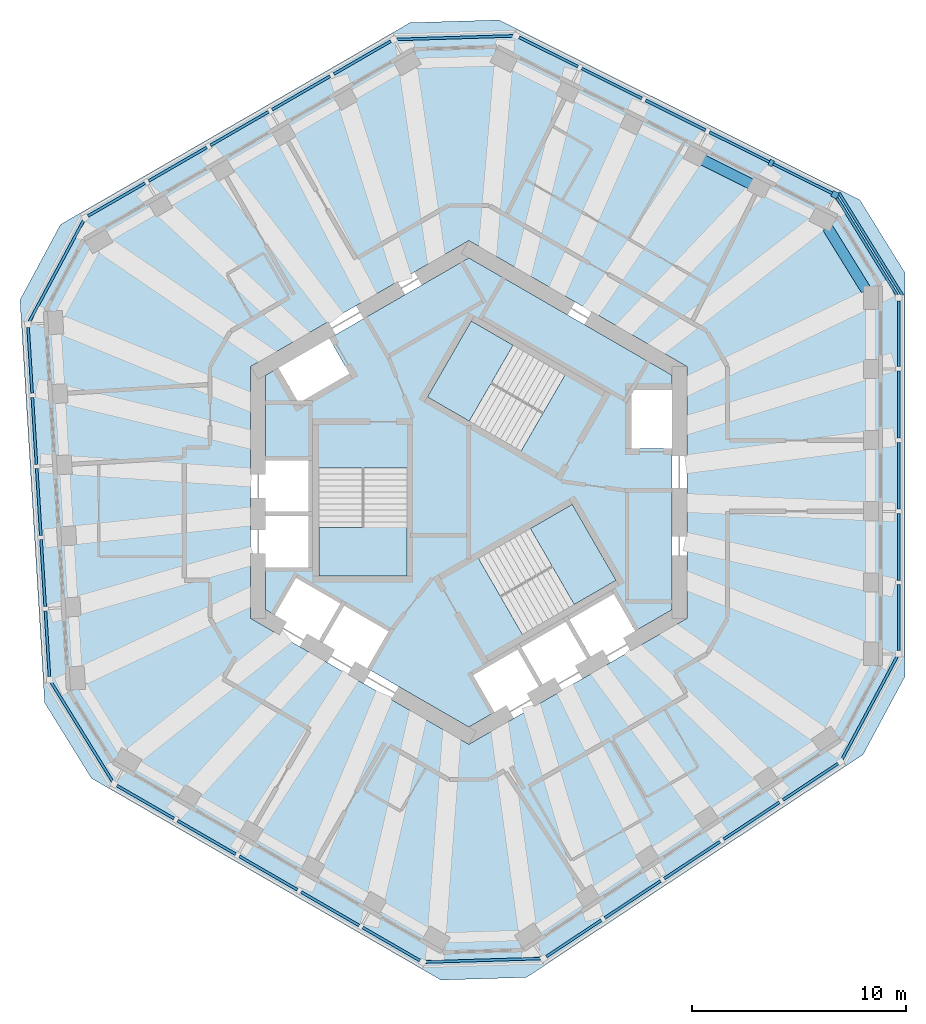
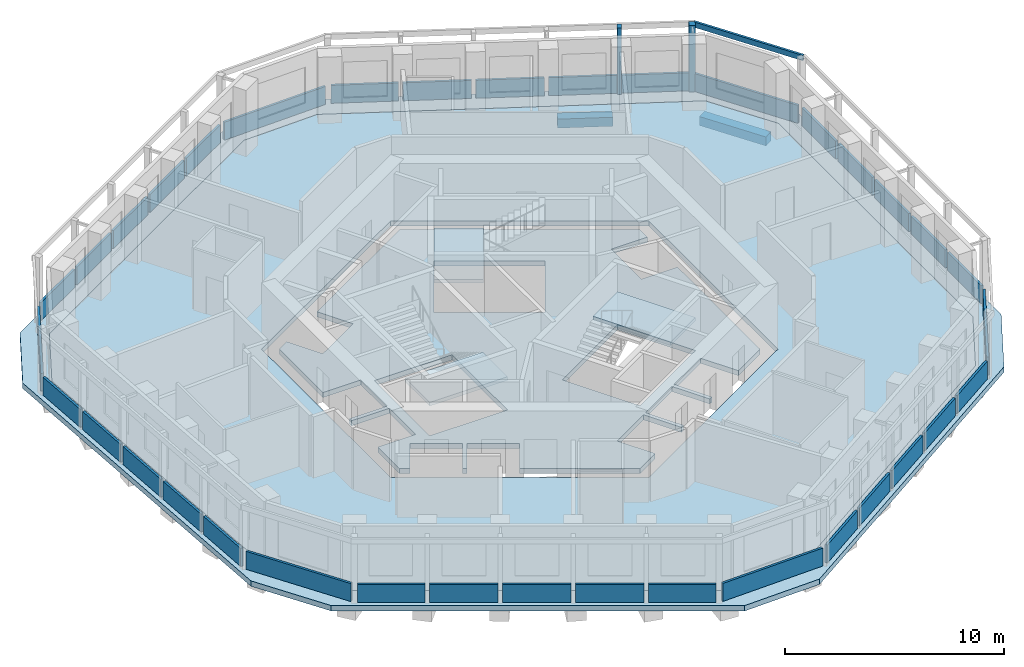
# One storey, part 3 of 11: 36 plates, 6 slabs, 3 members, 2 beams, 15 elements without a shape of their own.
"""IFC4 building model written with IfcOpenShell, lengths in metres."""

import ifcopenshell
import ifcopenshell.guid

model = None  # the IFC model being written
_history = None  # IfcOwnerHistory: only IFC2X3 demands one
_inside = {}  # id of a spatial element -> (the spatial element, [elements in it])
_under = {}  # id of a project, library or spatial element -> (it, [spatial elements below it])
_declared = {}  # id of a project -> (the project, [libraries it declares])
_typed = {}  # id of a type object -> (the type object, [elements of that type])
_made_of = {}  # id of a material, layer set ... -> (it, [elements and type objects made of it])


def new_model(schema):
    """Start an empty IFC model of exactly this schema.

    Asked for "IFC4X3", IfcOpenShell would pick the latest addendum, in which some entities
    have other attributes; the version numbers below select the first issue.
    IFC2X3 requires an IfcOwnerHistory on every rooted entity: one is made here for all.
    """
    global model, _history
    if schema == "IFC4X3":
        model = ifcopenshell.file(schema_version=(4, 3, 0, 0))
    else:
        model = ifcopenshell.file(schema=schema)
    _inside.clear()
    _under.clear()
    _declared.clear()
    _typed.clear()
    _made_of.clear()
    _history = None
    if model.schema == "IFC2X3":
        org = make("IfcOrganization", Name="unknown")
        user = make(
            "IfcPersonAndOrganization",
            ThePerson=make("IfcPerson", FamilyName="unknown"),
            TheOrganization=org,
        )
        app = make(
            "IfcApplication",
            ApplicationDeveloper=org,
            Version="unknown",
            ApplicationFullName="unknown",
            ApplicationIdentifier="unknown",
        )
        _history = make(
            "IfcOwnerHistory",
            OwningUser=user,
            OwningApplication=app,
            ChangeAction="ADDED",
            CreationDate=0,
        )
    return model


def make(cls, **values):
    """One entity of the class cls with the attributes given. An attribute that is None is left unset."""
    return model.create_entity(
        cls, **{name: value for name, value in values.items() if value is not None}
    )


def rooted(cls, **values):
    """An entity with a GlobalId (a new one), such as an element, a storey or a relation."""
    return make(cls, GlobalId=ifcopenshell.guid.new(), OwnerHistory=_history, **values)


def si_unit(unit_type, name, prefix=None):
    """IfcSIUnit, for example si_unit("LENGTHUNIT", "METRE", prefix="MILLI")."""
    return make("IfcSIUnit", UnitType=unit_type, Prefix=prefix, Name=name)


def assignment(units):
    """IfcUnitAssignment: the units of a project."""
    return None if units is None else make("IfcUnitAssignment", Units=units)


def point(xyz):
    """IfcCartesianPoint."""
    return None if xyz is None else make("IfcCartesianPoint", Coordinates=xyz)


def direction(xyz):
    """IfcDirection."""
    return None if xyz is None else make("IfcDirection", DirectionRatios=xyz)


def frame(location, z_axis=None, x_axis=None):
    """IfcAxis2Placement3D, a coordinate frame: its origin and axes. An axis left out is left unset."""
    return make(
        "IfcAxis2Placement3D",
        Location=point(location),
        Axis=direction(z_axis),
        RefDirection=direction(x_axis),
    )


def frame_2d(location, x_axis=None):
    """IfcAxis2Placement2D, a coordinate frame in the plane: its origin and x axis."""
    return make(
        "IfcAxis2Placement2D", Location=point(location), RefDirection=direction(x_axis)
    )


def origin():
    """The frame at (0, 0, 0) with its axes left unset."""
    return frame((0.0, 0.0, 0.0))


def origin_2d():
    """The frame at (0, 0) in the plane with its x axis left unset."""
    return frame_2d((0.0, 0.0))


def place(relative_to, where):
    """IfcLocalPlacement: puts the frame where relative to a parent placement (None: the world)."""
    return make(
        "IfcLocalPlacement", PlacementRelTo=relative_to, RelativePlacement=where
    )


def context(
    kind, dimensions, precision=None, world=None, true_north=None, identifier=None
):
    """IfcGeometricRepresentationContext, for example the 3D "Model" context."""
    return make(
        "IfcGeometricRepresentationContext",
        ContextIdentifier=identifier,
        ContextType=kind,
        CoordinateSpaceDimension=dimensions,
        Precision=precision,
        WorldCoordinateSystem=world,
        TrueNorth=true_north,
    )


def subcontext(parent, identifier, kind, view, scale=None):
    """IfcGeometricRepresentationSubContext, for example "Body" below "Model"."""
    return make(
        "IfcGeometricRepresentationSubContext",
        ContextIdentifier=identifier,
        ContextType=kind,
        ParentContext=parent,
        TargetScale=scale,
        TargetView=view,
    )


def project(units=None, contexts=None):
    """IfcProject with its units and contexts."""
    return rooted(
        "IfcProject",
        Name="project",
        RepresentationContexts=contexts,
        UnitsInContext=assignment(units),
    )


def spatial(cls, under=None, at=None, **own):
    """A site, building, storey or space (cls), placed at a placement, below another one or the project."""
    s = rooted(cls, ObjectPlacement=at, **own)
    if under is not None:
        _under.setdefault(under.id(), (under, []))[1].append(s)
    return s


def polyline(points):
    """IfcPolyline through the points."""
    return make("IfcPolyline", Points=[point(p) for p in points])


def profile(cls, at=None, kind="AREA", **sizes):
    """A parametric profile (cls). Its sizes go by their IFC names, for example OverallWidth=200.0."""
    return make(cls, ProfileType=kind, Position=at, **sizes)


def rectangle(**sizes):
    """IfcRectangleProfileDef."""
    return profile("IfcRectangleProfileDef", **sizes)


def outline(outer, holes=None, kind="AREA"):
    """IfcArbitraryClosedProfileDef: a profile drawn as a closed curve; with holes, ...WithVoids."""
    if holes is None:
        return make("IfcArbitraryClosedProfileDef", ProfileType=kind, OuterCurve=outer)
    return make(
        "IfcArbitraryProfileDefWithVoids",
        ProfileType=kind,
        OuterCurve=outer,
        InnerCurves=holes,
    )


def extrude(swept, where, along, depth):
    """IfcExtrudedAreaSolid: the profile swept, set in the frame where, extruded along a direction by depth."""
    return make(
        "IfcExtrudedAreaSolid",
        SweptArea=swept,
        Position=where,
        ExtrudedDirection=direction(along),
        Depth=depth,
    )


def shape(context_of_items, identifier, shape_type, items):
    """IfcShapeRepresentation: the items that make up one representation, for example the "Body"."""
    return make(
        "IfcShapeRepresentation",
        ContextOfItems=context_of_items,
        RepresentationIdentifier=identifier,
        RepresentationType=shape_type,
        Items=items,
    )


def material(Name=None, Category=None):
    """IfcMaterial."""
    return make("IfcMaterial", Name=Name, Category=Category)


def layer(
    of_material, thickness, ventilated=None, Name=None, Category=None, Priority=None
):
    """IfcMaterialLayer: one layer of a wall or slab, of a material (None: an air gap)."""
    return make(
        "IfcMaterialLayer",
        Material=of_material,
        LayerThickness=thickness,
        IsVentilated=ventilated,
        Name=Name,
        Category=Category,
        Priority=Priority,
    )


def layer_set(layers, Name=None):
    """IfcMaterialLayerSet."""
    return make("IfcMaterialLayerSet", MaterialLayers=layers, LayerSetName=Name)


def material_profile(
    of_material, cross_section, Name=None, Category=None, Priority=None
):
    """IfcMaterialProfile: a cross section and its material."""
    return make(
        "IfcMaterialProfile",
        Name=Name,
        Material=of_material,
        Profile=cross_section,
        Priority=Priority,
        Category=Category,
    )


def profile_set(profiles, Name=None, composite=None):
    """IfcMaterialProfileSet."""
    return make(
        "IfcMaterialProfileSet",
        Name=Name,
        MaterialProfiles=profiles,
        CompositeProfile=composite,
    )


def made_of(thing, what):
    """Note that an element or type object is made of a material, layer set ...; save() writes the relation."""
    if what is not None:
        _made_of.setdefault(what.id(), (what, []))[1].append(thing)
    return thing


def type_object(cls, material=None, **own):
    """A type object (cls), such as IfcWallType, which elements share."""
    return made_of(rooted(cls, **own), material)


def element(
    cls,
    number,
    at=None,
    inside=None,
    cuts=None,
    type_object=None,
    material=None,
    context=None,
    identifier="Body",
    shape_type=None,
    held_by="IfcProductDefinitionShape",
    body=None,
    shapes=None,
    **own,
):
    """One element of the class cls, such as IfcWall. Its Tag is "e" and its number.

    at: its placement. inside: the storey or other place that contains it. cuts: it is an
    opening in that element (IfcRelVoidsElement). A single representation is given by context,
    identifier, shape_type and body (its items); several are given by shapes. held_by: the class
    of the entity that holds the representations. save() writes the other relations.
    """
    e = rooted(cls, Tag="e%d" % number, ObjectPlacement=at, **own)
    if body is not None:
        shapes = [shape(context, identifier, shape_type, body)]
    if shapes is not None:
        e.Representation = make(held_by, Representations=shapes)
    if inside is not None:
        _inside.setdefault(inside.id(), (inside, []))[1].append(e)
    if cuts is not None:
        rooted(
            "IfcRelVoidsElement", RelatingBuildingElement=cuts, RelatedOpeningElement=e
        )
    if type_object is not None:
        _typed.setdefault(type_object.id(), (type_object, []))[1].append(e)
    return made_of(e, material)


def aggregate(whole, parts):
    """IfcRelAggregates: a whole, such as a stair, and the parts it consists of."""
    return rooted("IfcRelAggregates", RelatingObject=whole, RelatedObjects=parts)


def save(model, path):
    """Write the relations noted so far, then the file.

    IfcRelAggregates (storeys below a building ...), IfcRelContainedInSpatialStructure (elements
    in a storey), IfcRelDefinesByType, IfcRelAssociatesMaterial and IfcRelDeclares: one each for
    every whole, place, type object, material and project.
    """
    for whole, parts in _under.values():
        aggregate(whole, parts)
    for where, things in _inside.values():
        rooted(
            "IfcRelContainedInSpatialStructure",
            RelatedElements=things,
            RelatingStructure=where,
        )
    for kind, things in _typed.values():
        rooted("IfcRelDefinesByType", RelatedObjects=things, RelatingType=kind)
    for what, things in _made_of.values():
        rooted("IfcRelAssociatesMaterial", RelatedObjects=things, RelatingMaterial=what)
    for by, libraries in _declared.values():
        rooted("IfcRelDeclares", RelatingContext=by, RelatedDefinitions=libraries)
    model.write(path)


model = new_model("IFC4")

# Units and contexts
model_context = context("Model", 3, precision=1e-05, world=origin(), true_north=direction((0.0, 1.0)))
body_context = subcontext(model_context, "Body", "Model", "MODEL_VIEW")
ifc_project = project(units=[si_unit("LENGTHUNIT", "METRE"), si_unit("AREAUNIT", "SQUARE_METRE"), si_unit("VOLUMEUNIT", "CUBIC_METRE"), si_unit("PLANEANGLEUNIT", "RADIAN"), si_unit("MASSUNIT", "GRAM", prefix="KILO")], contexts=[model_context])

# Site, building, storey
site_placement = place(None, origin())
site = spatial("IfcSite", under=ifc_project, at=site_placement, CompositionType="ELEMENT")
building_placement = place(site_placement, origin())
building = spatial("IfcBuilding", under=site, at=building_placement, Name="Vanh Sen Convention Tower", CompositionType="ELEMENT")
storey_placement = place(building_placement, frame((0.0, 0.0, 259.800048828125)))
storey = spatial("IfcBuildingStorey", under=building, at=storey_placement, Name="L64", CompositionType="ELEMENT", Elevation=259.800048828125)

# Curtain wall, members
ifc_material_1 = material(Name="Concrete C50/60", Category="concrete")
curtain_wall_type = type_object("IfcCurtainWallType", Name="Outer skin office zone", PredefinedType="NOTDEFINED", material=ifc_material_1)
curtain_wall_1_placement = place(storey_placement, origin())
curtain_wall_1 = element("IfcCurtainWall", 1, at=curtain_wall_1_placement, inside=storey, type_object=curtain_wall_type, Name="OUTER SKIN NE L64", PredefinedType="NOTDEFINED")
ifc_material_profile_1 = material_profile(ifc_material_1, rectangle(XDim=0.300048828125, YDim=0.300048828125, at=origin_2d()), Name="Outer skin precast corner fin 300 x 300")
ifc_profile_set_1 = profile_set([ifc_material_profile_1], Name="Concrete C50/60")
member_type_1 = type_object("IfcMemberType", Name="Outer skin precast corner fin 300 x 300", PredefinedType="MULLION", material=ifc_profile_set_1)
member_1_placement = place(storey_placement, frame((17.122802734375, 13.922607421875, 0.0), z_axis=(0.0, 0.0, 1.0), x_axis=(-0.894934361602, 0.44619781311, 0.0)))
member_1 = element("IfcMember", 2, at=member_1_placement, type_object=member_type_1, Name="OUTER SKIN CORNER FIN 1 NE L64", PredefinedType="MULLION", context=body_context, shape_type="SweptSolid", body=[
    extrude(rectangle(XDim=0.300048828125, YDim=0.300048828125, at=origin_2d()), origin(), (0.0, 0.0, 1.0), 3.699951171875),
])
ifc_material_profile_2 = material_profile(ifc_material_1, rectangle(XDim=0.199951171875, YDim=0.300048828125, at=origin_2d()), Name="Outer skin precast fin 200 x 300")
ifc_profile_set_2 = profile_set([ifc_material_profile_2], Name="Concrete C50/60")
member_type_2 = type_object("IfcMemberType", Name="Outer skin precast fin 200 x 300", PredefinedType="MULLION", material=ifc_profile_set_2)
member_2_placement = place(storey_placement, frame((14.14111328125, 15.4091796875, 0.0), z_axis=(0.0, 0.0, 1.0), x_axis=(-0.894934361602, 0.44619781311, 0.0)))
member_2 = element("IfcMember", 3, at=member_2_placement, type_object=member_type_2, Name="OUTER SKIN fin 2 NE L64", PredefinedType="MULLION", context=body_context, shape_type="SweptSolid", body=[
    extrude(rectangle(XDim=0.199951171875, YDim=0.300048828125, at=origin_2d()), origin(), (0.0, 0.0, 1.0), 3.699951171875),
])

# Curtain wall, member
curtain_wall_2_placement = place(storey_placement, origin())
curtain_wall_2 = element("IfcCurtainWall", 4, at=curtain_wall_2_placement, inside=storey, type_object=curtain_wall_type, Name="OUTER SKIN CH1 L64", PredefinedType="NOTDEFINED")
ifc_material_profile_3 = material_profile(ifc_material_1, rectangle(XDim=0.1201171875, YDim=0.300048828125, at=origin_2d()), Name="Outer skin precast spandrel band 300 x 120")
ifc_profile_set_3 = profile_set([ifc_material_profile_3], Name="Concrete C50/60")
member_type_3 = type_object("IfcMemberType", Name="Outer skin precast spandrel band 300 x 120", PredefinedType="USERDEFINED", material=ifc_profile_set_3)
member_3_placement = place(storey_placement, frame((20.278564453125, 9.221923828125, 3.550048828125), z_axis=(-0.52621200061, 0.850353415007, 0.0), x_axis=(-0.850353415007, -0.52621200061, 0.0)))
member_3 = element("IfcMember", 5, at=member_3_placement, type_object=member_type_3, Name="OUTER SKIN spandrel band CH1 L64", ObjectType="TRANSOM", PredefinedType="USERDEFINED", context=body_context, shape_type="SweptSolid", body=[
    extrude(rectangle(XDim=0.1201171875, YDim=0.300048828125, at=origin_2d()), origin(), (0.0, 0.0, 1.0), 5.657958984375),
])

# Beams
ifc_material_2 = material(Name="Concrete C50/60", Category="concrete")
ifc_material_profile_4 = material_profile(ifc_material_2, rectangle(XDim=0.5, YDim=0.5, at=origin_2d()), Name="RC 500X500")
ifc_profile_set_4 = profile_set([ifc_material_profile_4], Name="Concrete C50/60")
beam_type = type_object("IfcBeamType", Name="Spandrel beam 500 x 500", PredefinedType="SPANDREL", material=ifc_profile_set_4)
beam_1_placement = place(storey_placement, frame((18.578369140625, 9.469482421875, -0.530029296875), z_axis=(-0.526174192227, 0.850376810264, 0.0), x_axis=(-0.850376810264, -0.526174192227, 0.0)))
element("IfcBeam", 6, at=beam_1_placement, inside=storey, type_object=beam_type, Name="Spandrel beam 06 L64", PredefinedType="SPANDREL", context=body_context, shape_type="SweptSolid", body=[
    extrude(rectangle(XDim=0.5, YDim=0.5, at=origin_2d()), origin(), (0.0, 0.0, 1.0), 3.447509765625),
])
beam_2_placement = place(storey_placement, frame((13.212890625, 14.41943359375, -0.530029296875), z_axis=(-0.894948417902, 0.446169619421, 0.0), x_axis=(-0.446169619421, -0.894948417902, 0.0)))
element("IfcBeam", 7, at=beam_2_placement, inside=storey, type_object=beam_type, Name="Spandrel beam 08 L64", PredefinedType="SPANDREL", context=body_context, shape_type="SweptSolid", body=[
    extrude(rectangle(XDim=0.5, YDim=0.5, at=origin_2d()), origin(), (0.0, 0.0, 1.0), 2.5263671875),
])

# Slabs
ifc_material_3 = material(Name="Concrete C40/50", Category="concrete")
ifc_layer_1 = layer(ifc_material_3, 0.280029296875)
ifc_layer_set_1 = layer_set([ifc_layer_1], Name="Concrete C40/50")
slab_type_1 = type_object("IfcSlabType", Name="Core slab 280", PredefinedType="FLOOR", material=ifc_layer_set_1)
slab_1_placement = place(storey_placement, frame((0.0, 0.0, -0.280029296875)))
element("IfcSlab", 8, at=slab_1_placement, inside=storey, type_object=slab_type_1, Name="Core slab L64", PredefinedType="FLOOR", context=body_context, shape_type="SweptSolid", body=[
    extrude(outline(polyline([(0.0, 10.9697265625), (9.5, 5.48486328125), (9.5, 4.800048828125), (7.60009765625, 4.800048828125), (7.60009765625, 2.050048828125), (9.5, 2.050048828125), (9.5, -5.48486328125), (7.781005859375, -6.477294921875), (6.781005859375, -4.7451171875), (4.70263671875, -5.9453125), (5.70263671875, -7.67724609375), (5.529296875, -7.777099609375), (4.529296875, -6.045166015625), (2.450927734375, -7.2451171875), (3.450927734375, -8.977294921875), (3.27783203125, -9.0771484375), (2.27783203125, -7.34521484375), (0.19921875, -8.545166015625), (1.19921875, -10.277099609375), (0.0, -10.9697265625), (-4.75, -8.227294921875), (-3.75, -6.4951171875), (-5.82861328125, -5.295166015625), (-6.82861328125, -7.027099609375), (-7.001708984375, -6.92724609375), (-6.001708984375, -5.1953125), (-8.080078125, -3.9951171875), (-9.080078125, -5.727294921875), (-9.5, -5.48486328125), (-9.5, -3.5), (-7.5, -3.5), (-7.5, -1.10009765625), (-9.5, -1.10009765625), (-9.5, -0.89990234375), (-7.5, -0.89990234375), (-7.5, 1.5), (-9.5, 1.5), (-9.5, 5.48486328125), (-8.906982421875, 5.8271484375), (-7.956787109375, 4.181884765625), (-5.575439453125, 5.556884765625), (-6.525390625, 7.2021484375), (0.0, 10.9697265625)]), holes=[polyline([(-7.0, 1.1494140625), (-7.0, -3.909912109375), (-2.89990234375, -3.909912109375), (-2.89990234375, 1.1494140625), (-7.0, 1.1494140625)]), polyline([(2.504638671875, -6.63671875), (6.88623046875, -4.107177734375), (4.836181640625, -0.556396484375), (0.45458984375, -3.086181640625), (2.504638671875, -6.63671875)]), polyline([(0.11376953125, 8.01708984375), (-1.936279296875, 4.466552734375), (2.4453125, 1.936767578125), (4.495361328125, 5.487548828125), (0.11376953125, 8.01708984375)])]), origin(), (0.0, 0.0, 1.0), 0.280029296875),
])
ifc_layer_2 = layer(ifc_material_3, 0.280029296875)
ifc_layer_set_2 = layer_set([ifc_layer_2], Name="Concrete C40/50")
slab_type_2 = type_object("IfcSlabType", Name="Floor slab 280 REI 120", PredefinedType="FLOOR", material=ifc_layer_set_2)
slab_2_placement = place(storey_placement, frame((0.0, 0.0, -0.280029296875)))
element("IfcSlab", 9, at=slab_2_placement, inside=storey, type_object=slab_type_2, Name="Floor slab L64 tower", PredefinedType="FLOOR", context=body_context, shape_type="SweptSolid", body=[
    extrude(outline(polyline([(19.199951171875, -8.0966796875), (19.199951171875, 9.66162109375), (17.21337890625, 12.871826171875), (1.32080078125, 20.79541015625), (-2.587890625, 20.676025390625), (-17.967041015625, 11.796875), (-19.75390625, 8.471435546875), (-18.669921875, -9.25390625), (-16.612060546875, -12.579345703125), (-1.23291015625, -21.45849609375), (2.54052734375, -21.34326171875), (17.34912109375, -11.541748046875), (19.199951171875, -8.0966796875)]), holes=[polyline([(0.0, 11.77783203125), (-10.199951171875, 5.888916015625), (-10.199951171875, -5.888916015625), (0.0, -11.77783203125), (10.199951171875, -5.888916015625), (10.199951171875, 5.888916015625), (0.0, 11.77783203125)])]), origin(), (0.0, 0.0, 1.0), 0.280029296875),
])

# Curtain wall, plates
curtain_wall_3_placement = place(storey_placement, origin())
curtain_wall_3 = element("IfcCurtainWall", 10, at=curtain_wall_3_placement, inside=storey, type_object=curtain_wall_type, Name="OUTER SKIN E L64", PredefinedType="NOTDEFINED")
ifc_layer_3 = layer(ifc_material_1, 0.1201171875)
ifc_layer_set_3 = layer_set([ifc_layer_3], Name="Concrete C50/60")
plate_type = type_object("IfcPlateType", Name="Outer skin precast screen panel 120", PredefinedType="CURTAIN_PANEL", material=ifc_layer_set_3)
plate_1_placement = place(storey_placement, frame((20.10009765625, -5.85595703125, 0.0), z_axis=(0.0, 0.0, 1.0), x_axis=(0.0, 1.0, 0.0)))
plate_1 = element("IfcPlate", 11, at=plate_1_placement, type_object=plate_type, Name="OUTER SKIN screen panel E-1", PredefinedType="CURTAIN_PANEL", context=body_context, shape_type="SweptSolid", body=[
    extrude(rectangle(XDim=3.08154296875, YDim=0.1201171875, at=origin_2d()), origin(), (0.0, 0.0, 1.0), 1.0),
])
plate_2_placement = place(storey_placement, frame((20.10009765625, -2.54931640625, 0.0), z_axis=(0.0, 0.0, 1.0), x_axis=(0.0, 1.0, 0.0)))
plate_2 = element("IfcPlate", 12, at=plate_2_placement, type_object=plate_type, Name="OUTER SKIN screen panel E-2", PredefinedType="CURTAIN_PANEL", context=body_context, shape_type="SweptSolid", body=[
    extrude(rectangle(XDim=3.131591796875, YDim=0.1201171875, at=origin_2d()), origin(), (0.0, 0.0, 1.0), 1.0),
])
plate_3_placement = place(storey_placement, frame((20.10009765625, 0.782470703125, 0.0), z_axis=(0.0, 0.0, 1.0), x_axis=(0.0, 1.0, 0.0)))
plate_3 = element("IfcPlate", 13, at=plate_3_placement, type_object=plate_type, Name="OUTER SKIN screen panel E-3", PredefinedType="CURTAIN_PANEL", context=body_context, shape_type="SweptSolid", body=[
    extrude(rectangle(XDim=3.131591796875, YDim=0.1201171875, at=origin_2d()), origin(), (0.0, 0.0, 1.0), 1.0),
])
plate_4_placement = place(storey_placement, frame((20.10009765625, 4.114013671875, 0.0), z_axis=(0.0, 0.0, 1.0), x_axis=(0.0, 1.0, 0.0)))
plate_4 = element("IfcPlate", 14, at=plate_4_placement, type_object=plate_type, Name="OUTER SKIN screen panel E-4", PredefinedType="CURTAIN_PANEL", context=body_context, shape_type="SweptSolid", body=[
    extrude(rectangle(XDim=3.131591796875, YDim=0.1201171875, at=origin_2d()), origin(), (0.0, 0.0, 1.0), 1.0),
])
plate_5_placement = place(storey_placement, frame((20.10009765625, 7.420654296875, 0.0), z_axis=(0.0, 0.0, 1.0), x_axis=(0.0, 1.0, 0.0)))
plate_5 = element("IfcPlate", 15, at=plate_5_placement, type_object=plate_type, Name="OUTER SKIN screen panel E-5", PredefinedType="CURTAIN_PANEL", context=body_context, shape_type="SweptSolid", body=[
    extrude(rectangle(XDim=3.08154296875, YDim=0.1201171875, at=origin_2d()), origin(), (0.0, 0.0, 1.0), 1.0),
])
aggregate(curtain_wall_3, [plate_1, plate_2, plate_3, plate_4, plate_5])

# Plate
plate_6_placement = place(storey_placement, frame((18.611328125, 11.51708984375, 0.0), z_axis=(0.0, 0.0, 1.0), x_axis=(-0.526218376078, 0.850349469734, 0.0)))
plate_6 = element("IfcPlate", 16, at=plate_6_placement, type_object=plate_type, Name="OUTER SKIN screen panel CH1-1", PredefinedType="CURTAIN_PANEL", context=body_context, shape_type="SweptSolid", body=[
    extrude(rectangle(XDim=5.35791015625, YDim=0.1201171875, at=origin_2d()), origin(), (0.0, 0.0, 1.0), 1.0),
])

aggregate(curtain_wall_2, [member_3, plate_6])

plate_7_placement = place(storey_placement, frame((15.609619140625, 14.677001953125, 0.0), z_axis=(0.0, 0.0, 1.0), x_axis=(-0.894931246532, 0.446204060919, 0.0)))
plate_7 = element("IfcPlate", 17, at=plate_7_placement, type_object=plate_type, Name="OUTER SKIN screen panel NE-1", PredefinedType="CURTAIN_PANEL", context=body_context, shape_type="SweptSolid", body=[
    extrude(rectangle(XDim=3.081787109375, YDim=0.1201171875, at=origin_2d()), origin(), (0.0, 0.0, 1.0), 1.0),
])

plate_8_placement = place(storey_placement, frame((12.650390625, 16.152587890625, 0.0), z_axis=(0.0, 0.0, 1.0), x_axis=(-0.894931246532, 0.446204060919, 0.0)))
plate_8 = element("IfcPlate", 18, at=plate_8_placement, type_object=plate_type, Name="OUTER SKIN screen panel NE-2", PredefinedType="CURTAIN_PANEL", context=body_context, shape_type="SweptSolid", body=[
    extrude(rectangle(XDim=3.131591796875, YDim=0.1201171875, at=origin_2d()), origin(), (0.0, 0.0, 1.0), 1.0),
])

plate_9_placement = place(storey_placement, frame((9.668701171875, 17.63916015625, 0.0), z_axis=(0.0, 0.0, 1.0), x_axis=(-0.894931246532, 0.446204060919, 0.0)))
plate_9 = element("IfcPlate", 19, at=plate_9_placement, type_object=plate_type, Name="OUTER SKIN screen panel NE-3", PredefinedType="CURTAIN_PANEL", context=body_context, shape_type="SweptSolid", body=[
    extrude(rectangle(XDim=3.131591796875, YDim=0.1201171875, at=origin_2d()), origin(), (0.0, 0.0, 1.0), 1.0),
])

plate_10_placement = place(storey_placement, frame((6.687255859375, 19.125732421875, 0.0), z_axis=(0.0, 0.0, 1.0), x_axis=(-0.89494292782, 0.446180631521, 0.0)))
plate_10 = element("IfcPlate", 20, at=plate_10_placement, type_object=plate_type, Name="OUTER SKIN screen panel NE-4", PredefinedType="CURTAIN_PANEL", context=body_context, shape_type="SweptSolid", body=[
    extrude(rectangle(XDim=3.131591796875, YDim=0.1201171875, at=origin_2d()), origin(), (0.0, 0.0, 1.0), 1.0),
])

plate_11_placement = place(storey_placement, frame((3.727783203125, 20.60107421875, 0.0), z_axis=(0.0, 0.0, 1.0), x_axis=(-0.894931246532, 0.446204060919, 0.0)))
plate_11 = element("IfcPlate", 21, at=plate_11_placement, type_object=plate_type, Name="OUTER SKIN screen panel NE-5", PredefinedType="CURTAIN_PANEL", context=body_context, shape_type="SweptSolid", body=[
    extrude(rectangle(XDim=3.081787109375, YDim=0.1201171875, at=origin_2d()), origin(), (0.0, 0.0, 1.0), 1.0),
])

aggregate(curtain_wall_1, [member_1, member_2, plate_7, plate_8, plate_9, plate_10, plate_11])

# Curtain wall, plate
curtain_wall_4_placement = place(storey_placement, origin())
curtain_wall_4 = element("IfcCurtainWall", 22, at=curtain_wall_4_placement, inside=storey, type_object=curtain_wall_type, Name="OUTER SKIN CH2 L64", PredefinedType="NOTDEFINED")
plate_12_placement = place(storey_placement, frame((-0.64990234375, 21.26806640625, 0.0), z_axis=(0.0, 0.0, 1.0), x_axis=(-0.99953391058, -0.030528046117, 0.0)))
plate_12 = element("IfcPlate", 23, at=plate_12_placement, type_object=plate_type, Name="OUTER SKIN screen panel CH2-1", PredefinedType="CURTAIN_PANEL", context=body_context, shape_type="SweptSolid", body=[
    extrude(rectangle(XDim=5.431640625, YDim=0.1201171875, at=origin_2d()), origin(), (0.0, 0.0, 1.0), 1.0),
])
aggregate(curtain_wall_4, [plate_12])

# Curtain wall, plates
curtain_wall_5_placement = place(storey_placement, origin())
curtain_wall_5 = element("IfcCurtainWall", 24, at=curtain_wall_5_placement, inside=storey, type_object=curtain_wall_type, Name="OUTER SKIN NW L64", PredefinedType="NOTDEFINED")
plate_13_placement = place(storey_placement, frame((-4.978515625, 20.335205078125, 0.0), z_axis=(0.0, 0.0, 1.0), x_axis=(-0.866015804314, -0.500016626402, 0.0)))
plate_13 = element("IfcPlate", 25, at=plate_13_placement, type_object=plate_type, Name="OUTER SKIN screen panel NW-1", PredefinedType="CURTAIN_PANEL", context=body_context, shape_type="SweptSolid", body=[
    extrude(rectangle(XDim=3.081787109375, YDim=0.1201171875, at=origin_2d()), origin(), (0.0, 0.0, 1.0), 1.0),
])
plate_14_placement = place(storey_placement, frame((-7.84228515625, 18.681640625, 0.0), z_axis=(0.0, 0.0, 1.0), x_axis=(-0.866028894422, -0.49999395399, 0.0)))
plate_14 = element("IfcPlate", 26, at=plate_14_placement, type_object=plate_type, Name="OUTER SKIN screen panel NW-2", PredefinedType="CURTAIN_PANEL", context=body_context, shape_type="SweptSolid", body=[
    extrude(rectangle(XDim=3.131591796875, YDim=0.1201171875, at=origin_2d()), origin(), (0.0, 0.0, 1.0), 1.0),
])
plate_15_placement = place(storey_placement, frame((-10.7275390625, 17.015869140625, 0.0), z_axis=(0.0, 0.0, 1.0), x_axis=(-0.866028894422, -0.49999395399, 0.0)))
plate_15 = element("IfcPlate", 27, at=plate_15_placement, type_object=plate_type, Name="OUTER SKIN screen panel NW-3", PredefinedType="CURTAIN_PANEL", context=body_context, shape_type="SweptSolid", body=[
    extrude(rectangle(XDim=3.131591796875, YDim=0.1201171875, at=origin_2d()), origin(), (0.0, 0.0, 1.0), 1.0),
])
plate_16_placement = place(storey_placement, frame((-13.61279296875, 15.35009765625, 0.0), z_axis=(0.0, 0.0, 1.0), x_axis=(-0.866015804314, -0.500016626402, 0.0)))
plate_16 = element("IfcPlate", 28, at=plate_16_placement, type_object=plate_type, Name="OUTER SKIN screen panel NW-4", PredefinedType="CURTAIN_PANEL", context=body_context, shape_type="SweptSolid", body=[
    extrude(rectangle(XDim=3.131591796875, YDim=0.1201171875, at=origin_2d()), origin(), (0.0, 0.0, 1.0), 1.0),
])
plate_17_placement = place(storey_placement, frame((-16.4765625, 13.69677734375, 0.0), z_axis=(0.0, 0.0, 1.0), x_axis=(-0.866028894422, -0.49999395399, 0.0)))
plate_17 = element("IfcPlate", 29, at=plate_17_placement, type_object=plate_type, Name="OUTER SKIN screen panel NW-5", PredefinedType="CURTAIN_PANEL", context=body_context, shape_type="SweptSolid", body=[
    extrude(rectangle(XDim=3.08154296875, YDim=0.1201171875, at=origin_2d()), origin(), (0.0, 0.0, 1.0), 1.0),
])
aggregate(curtain_wall_5, [plate_13, plate_14, plate_15, plate_16, plate_17])

# Curtain wall, plate
curtain_wall_6_placement = place(storey_placement, origin())
curtain_wall_6 = element("IfcCurtainWall", 30, at=curtain_wall_6_placement, inside=storey, type_object=curtain_wall_type, Name="OUTER SKIN CH3 L64", PredefinedType="NOTDEFINED")
plate_18_placement = place(storey_placement, frame((-19.27978515625, 10.359375, 0.0), z_axis=(0.0, 0.0, 1.0), x_axis=(-0.473324279511, -0.880888259897, 0.0)))
plate_18 = element("IfcPlate", 31, at=plate_18_placement, type_object=plate_type, Name="OUTER SKIN screen panel CH3-1", PredefinedType="CURTAIN_PANEL", context=body_context, shape_type="SweptSolid", body=[
    extrude(rectangle(XDim=5.35791015625, YDim=0.1201171875, at=origin_2d()), origin(), (0.0, 0.0, 1.0), 1.0),
])
aggregate(curtain_wall_6, [plate_18])

# Curtain wall, plates
curtain_wall_7_placement = place(storey_placement, origin())
curtain_wall_7 = element("IfcCurtainWall", 32, at=curtain_wall_7_placement, inside=storey, type_object=curtain_wall_type, Name="OUTER SKIN W L64", PredefinedType="NOTDEFINED")
plate_19_placement = place(storey_placement, frame((-20.515380859375, 6.1796875, 0.0), z_axis=(0.0, 0.0, 1.0), x_axis=(0.061052023682, -0.998134585316, 0.0)))
plate_19 = element("IfcPlate", 33, at=plate_19_placement, type_object=plate_type, Name="OUTER SKIN screen panel W-1", PredefinedType="CURTAIN_PANEL", context=body_context, shape_type="SweptSolid", body=[
    extrude(rectangle(XDim=3.08154296875, YDim=0.1201171875, at=origin_2d()), origin(), (0.0, 0.0, 1.0), 1.0),
])
plate_20_placement = place(storey_placement, frame((-20.313720703125, 2.87939453125, 0.0), z_axis=(0.0, 0.0, 1.0), x_axis=(0.061050281609, -0.998134691871, 0.0)))
plate_20 = element("IfcPlate", 34, at=plate_20_placement, type_object=plate_type, Name="OUTER SKIN screen panel W-2", PredefinedType="CURTAIN_PANEL", context=body_context, shape_type="SweptSolid", body=[
    extrude(rectangle(XDim=3.131591796875, YDim=0.1201171875, at=origin_2d()), origin(), (0.0, 0.0, 1.0), 1.0),
])
plate_21_placement = place(storey_placement, frame((-20.1103515625, -0.4462890625, 0.0), z_axis=(0.0, 0.0, 1.0), x_axis=(0.061052023682, -0.998134585316, 0.0)))
plate_21 = element("IfcPlate", 35, at=plate_21_placement, type_object=plate_type, Name="OUTER SKIN screen panel W-3", PredefinedType="CURTAIN_PANEL", context=body_context, shape_type="SweptSolid", body=[
    extrude(rectangle(XDim=3.131591796875, YDim=0.1201171875, at=origin_2d()), origin(), (0.0, 0.0, 1.0), 1.0),
])
plate_22_placement = place(storey_placement, frame((-19.906982421875, -3.771484375, 0.0), z_axis=(0.0, 0.0, 1.0), x_axis=(0.061052023682, -0.998134585316, 0.0)))
plate_22 = element("IfcPlate", 36, at=plate_22_placement, type_object=plate_type, Name="OUTER SKIN screen panel W-4", PredefinedType="CURTAIN_PANEL", context=body_context, shape_type="SweptSolid", body=[
    extrude(rectangle(XDim=3.131591796875, YDim=0.1201171875, at=origin_2d()), origin(), (0.0, 0.0, 1.0), 1.0),
])
plate_23_placement = place(storey_placement, frame((-19.705078125, -7.072021484375, 0.0), z_axis=(0.0, 0.0, 1.0), x_axis=(0.061050281609, -0.998134691871, 0.0)))
plate_23 = element("IfcPlate", 37, at=plate_23_placement, type_object=plate_type, Name="OUTER SKIN screen panel W-5", PredefinedType="CURTAIN_PANEL", context=body_context, shape_type="SweptSolid", body=[
    extrude(rectangle(XDim=3.081787109375, YDim=0.1201171875, at=origin_2d()), origin(), (0.0, 0.0, 1.0), 1.0),
])
aggregate(curtain_wall_7, [plate_19, plate_20, plate_21, plate_22, plate_23])

# Curtain wall, plate
curtain_wall_8_placement = place(storey_placement, origin())
curtain_wall_8 = element("IfcCurtainWall", 38, at=curtain_wall_8_placement, inside=storey, type_object=curtain_wall_type, Name="OUTER SKIN CH4 L64", PredefinedType="NOTDEFINED")
plate_24_placement = place(storey_placement, frame((-18.09375, -11.19677734375, 0.0), z_axis=(0.0, 0.0, 1.0), x_axis=(0.526210955359, -0.850354061823, 0.0)))
plate_24 = element("IfcPlate", 39, at=plate_24_placement, type_object=plate_type, Name="OUTER SKIN screen panel CH4-1", PredefinedType="CURTAIN_PANEL", context=body_context, shape_type="SweptSolid", body=[
    extrude(rectangle(XDim=5.431640625, YDim=0.1201171875, at=origin_2d()), origin(), (0.0, 0.0, 1.0), 1.0),
])
aggregate(curtain_wall_8, [plate_24])

# Curtain wall, plates
curtain_wall_9_placement = place(storey_placement, origin())
curtain_wall_9 = element("IfcCurtainWall", 40, at=curtain_wall_9_placement, inside=storey, type_object=curtain_wall_type, Name="OUTER SKIN SW L64", PredefinedType="NOTDEFINED")
plate_25_placement = place(storey_placement, frame((-15.121337890625, -14.47900390625, 0.0), z_axis=(0.0, 0.0, 1.0), x_axis=(0.866028894422, -0.49999395399, 0.0)))
plate_25 = element("IfcPlate", 41, at=plate_25_placement, type_object=plate_type, Name="OUTER SKIN screen panel SW-1", PredefinedType="CURTAIN_PANEL", context=body_context, shape_type="SweptSolid", body=[
    extrude(rectangle(XDim=3.08154296875, YDim=0.1201171875, at=origin_2d()), origin(), (0.0, 0.0, 1.0), 1.0),
])
plate_26_placement = place(storey_placement, frame((-12.2578125, -16.132568359375, 0.0), z_axis=(0.0, 0.0, 1.0), x_axis=(0.866015804314, -0.500016626402, 0.0)))
plate_26 = element("IfcPlate", 42, at=plate_26_placement, type_object=plate_type, Name="OUTER SKIN screen panel SW-2", PredefinedType="CURTAIN_PANEL", context=body_context, shape_type="SweptSolid", body=[
    extrude(rectangle(XDim=3.131591796875, YDim=0.1201171875, at=origin_2d()), origin(), (0.0, 0.0, 1.0), 1.0),
])
plate_27_placement = place(storey_placement, frame((-9.37255859375, -17.79833984375, 0.0), z_axis=(0.0, 0.0, 1.0), x_axis=(0.866028894422, -0.49999395399, 0.0)))
plate_27 = element("IfcPlate", 43, at=plate_27_placement, type_object=plate_type, Name="OUTER SKIN screen panel SW-3", PredefinedType="CURTAIN_PANEL", context=body_context, shape_type="SweptSolid", body=[
    extrude(rectangle(XDim=3.131591796875, YDim=0.1201171875, at=origin_2d()), origin(), (0.0, 0.0, 1.0), 1.0),
])
plate_28_placement = place(storey_placement, frame((-6.487060546875, -19.464111328125, 0.0), z_axis=(0.0, 0.0, 1.0), x_axis=(0.866028894422, -0.49999395399, 0.0)))
plate_28 = element("IfcPlate", 44, at=plate_28_placement, type_object=plate_type, Name="OUTER SKIN screen panel SW-4", PredefinedType="CURTAIN_PANEL", context=body_context, shape_type="SweptSolid", body=[
    extrude(rectangle(XDim=3.131591796875, YDim=0.1201171875, at=origin_2d()), origin(), (0.0, 0.0, 1.0), 1.0),
])
plate_29_placement = place(storey_placement, frame((-3.62353515625, -21.117431640625, 0.0), z_axis=(0.0, 0.0, 1.0), x_axis=(0.866028894422, -0.49999395399, 0.0)))
plate_29 = element("IfcPlate", 45, at=plate_29_placement, type_object=plate_type, Name="OUTER SKIN screen panel SW-5", PredefinedType="CURTAIN_PANEL", context=body_context, shape_type="SweptSolid", body=[
    extrude(rectangle(XDim=3.08154296875, YDim=0.1201171875, at=origin_2d()), origin(), (0.0, 0.0, 1.0), 1.0),
])
aggregate(curtain_wall_9, [plate_25, plate_26, plate_27, plate_28, plate_29])

# Curtain wall, plate
curtain_wall_10_placement = place(storey_placement, origin())
curtain_wall_10 = element("IfcCurtainWall", 46, at=curtain_wall_10_placement, inside=storey, type_object=curtain_wall_type, Name="OUTER SKIN CH5 L64", PredefinedType="NOTDEFINED")
plate_30_placement = place(storey_placement, frame((0.66845703125, -21.87646484375, 0.0), z_axis=(0.0, 0.0, 1.0), x_axis=(0.999533590837, 0.03053851321, 0.0)))
plate_30 = element("IfcPlate", 47, at=plate_30_placement, type_object=plate_type, Name="OUTER SKIN screen panel CH5-1", PredefinedType="CURTAIN_PANEL", context=body_context, shape_type="SweptSolid", body=[
    extrude(rectangle(XDim=5.35791015625, YDim=0.1201171875, at=origin_2d()), origin(), (0.0, 0.0, 1.0), 1.0),
])
aggregate(curtain_wall_10, [plate_30])

# Curtain wall, plates
curtain_wall_11_placement = place(storey_placement, origin())
curtain_wall_11 = element("IfcCurtainWall", 48, at=curtain_wall_11_placement, inside=storey, type_object=curtain_wall_type, Name="OUTER SKIN SE L64", PredefinedType="NOTDEFINED")
plate_31_placement = place(storey_placement, frame((4.906005859375, -20.85693359375, 0.0), z_axis=(0.0, 0.0, 1.0), x_axis=(0.833902198, 0.551912243179, 0.0)))
plate_31 = element("IfcPlate", 49, at=plate_31_placement, type_object=plate_type, Name="OUTER SKIN screen panel SE-1", PredefinedType="CURTAIN_PANEL", context=body_context, shape_type="SweptSolid", body=[
    extrude(rectangle(XDim=3.081787109375, YDim=0.1201171875, at=origin_2d()), origin(), (0.0, 0.0, 1.0), 1.0),
])
plate_32_placement = place(storey_placement, frame((7.663330078125, -19.03173828125, 0.0), z_axis=(0.0, 0.0, 1.0), x_axis=(0.833879078823, 0.551947173108, 0.0)))
plate_32 = element("IfcPlate", 50, at=plate_32_placement, type_object=plate_type, Name="OUTER SKIN screen panel SE-2", PredefinedType="CURTAIN_PANEL", context=body_context, shape_type="SweptSolid", body=[
    extrude(rectangle(XDim=3.131591796875, YDim=0.1201171875, at=origin_2d()), origin(), (0.0, 0.0, 1.0), 1.0),
])
plate_33_placement = place(storey_placement, frame((10.44140625, -17.193115234375, 0.0), z_axis=(0.0, 0.0, 1.0), x_axis=(0.833892565187, 0.551926797434, 0.0)))
plate_33 = element("IfcPlate", 51, at=plate_33_placement, type_object=plate_type, Name="OUTER SKIN screen panel SE-3", PredefinedType="CURTAIN_PANEL", context=body_context, shape_type="SweptSolid", body=[
    extrude(rectangle(XDim=3.131591796875, YDim=0.1201171875, at=origin_2d()), origin(), (0.0, 0.0, 1.0), 1.0),
])
plate_34_placement = place(storey_placement, frame((13.2197265625, -15.35400390625, 0.0), z_axis=(0.0, 0.0, 1.0), x_axis=(0.833879078823, 0.551947173108, 0.0)))
plate_34 = element("IfcPlate", 52, at=plate_34_placement, type_object=plate_type, Name="OUTER SKIN screen panel SE-4", PredefinedType="CURTAIN_PANEL", context=body_context, shape_type="SweptSolid", body=[
    extrude(rectangle(XDim=3.131591796875, YDim=0.1201171875, at=origin_2d()), origin(), (0.0, 0.0, 1.0), 1.0),
])
plate_35_placement = place(storey_placement, frame((15.97705078125, -13.529052734375, 0.0), z_axis=(0.0, 0.0, 1.0), x_axis=(0.833879078823, 0.551947173108, 0.0)))
plate_35 = element("IfcPlate", 53, at=plate_35_placement, type_object=plate_type, Name="OUTER SKIN screen panel SE-5", PredefinedType="CURTAIN_PANEL", context=body_context, shape_type="SweptSolid", body=[
    extrude(rectangle(XDim=3.081787109375, YDim=0.1201171875, at=origin_2d()), origin(), (0.0, 0.0, 1.0), 1.0),
])
aggregate(curtain_wall_11, [plate_31, plate_32, plate_33, plate_34, plate_35])

# Curtain wall, plate
curtain_wall_12_placement = place(storey_placement, origin())
curtain_wall_12 = element("IfcCurtainWall", 54, at=curtain_wall_12_placement, inside=storey, type_object=curtain_wall_type, Name="OUTER SKIN CH6 L64", PredefinedType="NOTDEFINED")
plate_36_placement = place(storey_placement, frame((18.743408203125, -10.0712890625, 0.0), z_axis=(0.0, 0.0, 1.0), x_axis=(0.473324279511, 0.880888259897, 0.0)))
plate_36 = element("IfcPlate", 55, at=plate_36_placement, type_object=plate_type, Name="OUTER SKIN screen panel CH6-1", PredefinedType="CURTAIN_PANEL", context=body_context, shape_type="SweptSolid", body=[
    extrude(rectangle(XDim=5.431884765625, YDim=0.1201171875, at=origin_2d()), origin(), (0.0, 0.0, 1.0), 1.0),
])
aggregate(curtain_wall_12, [plate_36])

# Slab
ifc_layer_4 = layer(ifc_material_3, 0.300048828125)
ifc_layer_set_4 = layer_set([ifc_layer_4], Name="Concrete C40/50")
slab_type_3 = type_object("IfcSlabType", Name="Roof ledge slab 300 REI 120", PredefinedType="ROOF", material=ifc_layer_set_4)
slab_3_placement = place(storey_placement, frame((0.0, 0.0, -0.300048828125)))
element("IfcSlab", 56, at=slab_3_placement, inside=storey, type_object=slab_type_3, Name="Setback roof ledge L64", PredefinedType="ROOF", context=body_context, shape_type="SweptSolid", body=[
    extrude(outline(polyline([(20.39990234375, -8.602783203125), (20.39990234375, 10.265380859375), (18.289306640625, 13.67626953125), (1.403564453125, 22.09521484375), (-2.749755859375, 21.96826171875), (-19.090087890625, 12.5341796875), (-20.988525390625, 9.000732421875), (-19.8369140625, -9.83203125), (-17.650146484375, -13.365478515625), (-1.309814453125, -22.799560546875), (2.699462890625, -22.677001953125), (18.433349609375, -12.26318359375), (20.39990234375, -8.602783203125)]), holes=[polyline([(19.199951171875, 9.66162109375), (17.21337890625, 12.871826171875), (1.32080078125, 20.79541015625), (-2.587890625, 20.676025390625), (-17.967041015625, 11.796875), (-19.75390625, 8.471435546875), (-18.669921875, -9.25390625), (-16.612060546875, -12.579345703125), (-1.23291015625, -21.45849609375), (2.54052734375, -21.34326171875), (17.34912109375, -11.541748046875), (19.199951171875, -8.0966796875), (19.199951171875, 9.66162109375)])]), origin(), (0.0, 0.0, 1.0), 0.300048828125),
])

# Stair, slab
ifc_material_4 = material(Name="Concrete C50/60", Category="concrete")
stair_type_1 = type_object("IfcStairType", Name="Exit stair ST1 22 risers at 168.2", PredefinedType="HALF_TURN_STAIR", material=ifc_material_4)
stair_1_placement = place(storey_placement, origin())
stair_1 = element("IfcStair", 57, at=stair_1_placement, inside=storey, type_object=stair_type_1, Name="Exit stair ST1 L64", PredefinedType="HALF_TURN_STAIR")
ifc_layer_5 = layer(ifc_material_3, 0.199951171875)
ifc_layer_set_5 = layer_set([ifc_layer_5], Name="Concrete C40/50")
slab_type_4 = type_object("IfcSlabType", Name="Stair landing 200", PredefinedType="LANDING", material=ifc_layer_set_5)
slab_4_placement = place(storey_placement, frame((0.0, 0.0, 1.64990234375)))
slab_4 = element("IfcSlab", 58, at=slab_4_placement, type_object=slab_type_4, Name="ST1 landing 1", PredefinedType="LANDING", context=body_context, shape_type="SweptSolid", body=[
    extrude(outline(polyline([(2.07177734375, 6.88671875), (0.11376953125, 8.01708984375), (-1.936279296875, 4.466552734375), (0.021728515625, 3.336181640625), (2.07177734375, 6.88671875)])), origin(), (0.0, 0.0, 1.0), 0.199951171875),
])
aggregate(stair_1, [slab_4])

stair_type_2 = type_object("IfcStairType", Name="Exit stair ST2 22 risers at 168.2", PredefinedType="HALF_TURN_STAIR", material=ifc_material_4)
stair_2_placement = place(storey_placement, origin())
stair_2 = element("IfcStair", 59, at=stair_2_placement, inside=storey, type_object=stair_type_2, Name="Exit stair ST2 L64", PredefinedType="HALF_TURN_STAIR")
slab_5_placement = place(storey_placement, frame((0.0, 0.0, 1.64990234375)))
slab_5 = element("IfcSlab", 60, at=slab_5_placement, type_object=slab_type_4, Name="ST2 landing 1", PredefinedType="LANDING", context=body_context, shape_type="SweptSolid", body=[
    extrude(outline(polyline([(-7.0, -1.6494140625), (-7.0, -3.909912109375), (-2.89990234375, -3.909912109375), (-2.89990234375, -1.6494140625), (-7.0, -1.6494140625)])), origin(), (0.0, 0.0, 1.0), 0.199951171875),
])
aggregate(stair_2, [slab_5])

stair_type_3 = type_object("IfcStairType", Name="Exit stair ST3 22 risers at 168.2", PredefinedType="HALF_TURN_STAIR", material=ifc_material_4)
stair_3_placement = place(storey_placement, origin())
stair_3 = element("IfcStair", 61, at=stair_3_placement, inside=storey, type_object=stair_type_3, Name="Exit stair ST3 L64", PredefinedType="HALF_TURN_STAIR")
slab_6_placement = place(storey_placement, frame((0.0, 0.0, 1.64990234375)))
slab_6 = element("IfcSlab", 62, at=slab_6_placement, type_object=slab_type_4, Name="ST3 landing 1", PredefinedType="LANDING", context=body_context, shape_type="SweptSolid", body=[
    extrude(outline(polyline([(4.92822265625, -5.237548828125), (6.88623046875, -4.107177734375), (4.836181640625, -0.556396484375), (2.87841796875, -1.686767578125), (4.92822265625, -5.237548828125)])), origin(), (0.0, 0.0, 1.0), 0.199951171875),
])
aggregate(stair_3, [slab_6])

save(model, "model.ifc")
